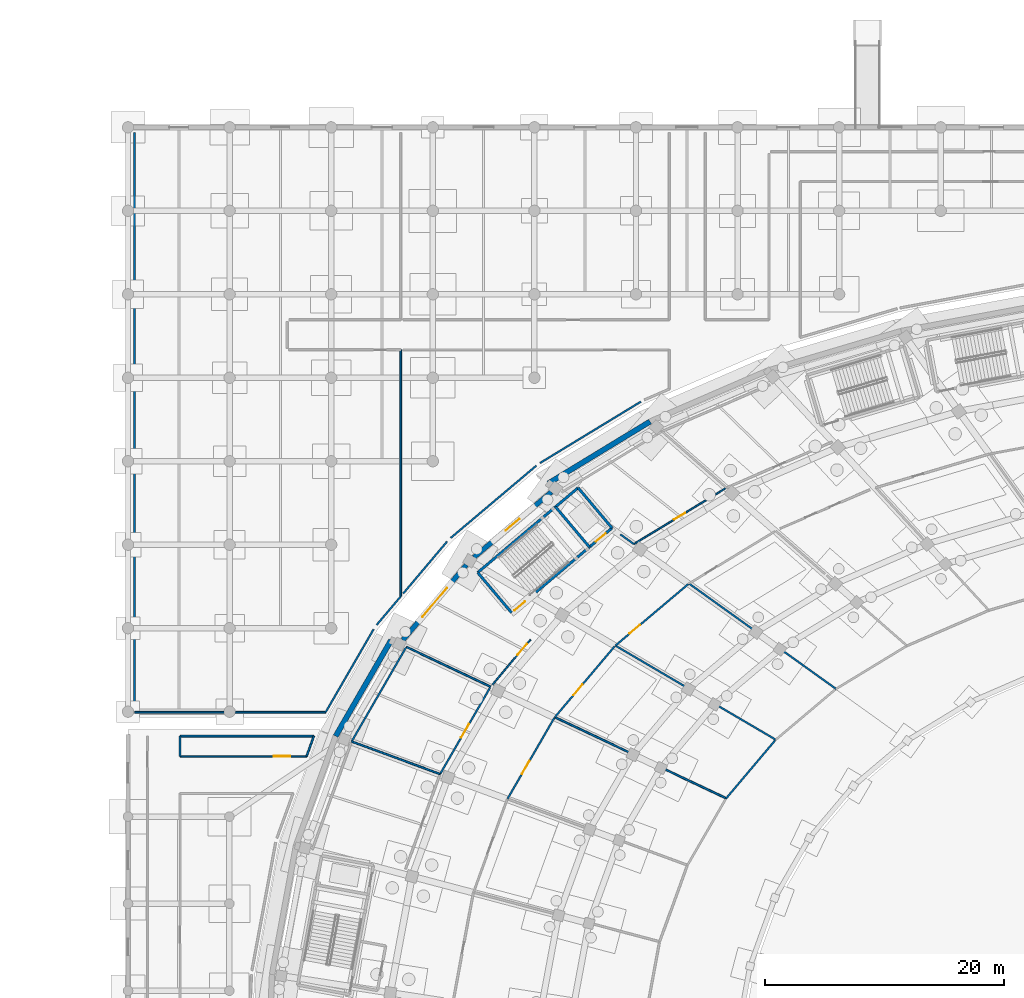
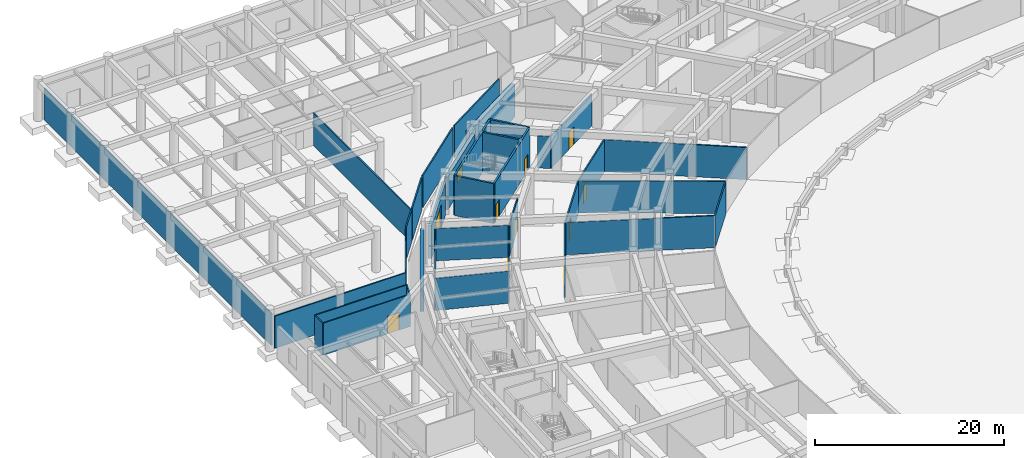
# One storey, part 56 of 88: 35 walls, 10 doors, 1 window, 11 openings.
"""IFC4 building model written with IfcOpenShell, lengths in metres."""

from ifc_helpers import new_model, si_unit, direction, frame, frame_2d, origin, place, context, subcontext, project, spatial, rectangle, extrude, material, layer, layer_set, type_object, element, fill, save


model = new_model("IFC4")

# Units and contexts
model_context = context("Model", 3, precision=1e-05, world=origin(), true_north=direction((0.0, 1.0)))
body_context = subcontext(model_context, "Body", "Model", "MODEL_VIEW")
ifc_project = project(units=[si_unit("LENGTHUNIT", "METRE"), si_unit("AREAUNIT", "SQUARE_METRE"), si_unit("VOLUMEUNIT", "CUBIC_METRE"), si_unit("PLANEANGLEUNIT", "RADIAN"), si_unit("MASSUNIT", "GRAM", prefix="KILO")], contexts=[model_context])

# Site, building, storey
site_placement = place(None, origin())
site = spatial("IfcSite", under=ifc_project, at=site_placement, CompositionType="ELEMENT")
building_placement = place(site_placement, origin())
building = spatial("IfcBuilding", under=site, at=building_placement, Name="Mphavela Belvedere Stadium", CompositionType="ELEMENT")
storey_placement = place(building_placement, origin())
storey = spatial("IfcBuildingStorey", under=building, at=storey_placement, Name="L00", CompositionType="ELEMENT", Elevation=0.0)

# Walls
ifc_material_1 = material(Name="Concrete C40/50", Category="concrete")
ifc_layer_1 = layer(ifc_material_1, 0.219970703125)
ifc_layer_set_1 = layer_set([ifc_layer_1], Name="Concrete C40/50")
wall_type_1 = type_object("IfcWallType", Name="WAL-CORE-SHEAR-220", PredefinedType="SHEAR", material=ifc_layer_set_1)
wall_1_placement = place(storey_placement, frame((29.318603515625, 136.666015625, 0.0), z_axis=(0.0, 0.0, 1.0), x_axis=(0.764247804305, 0.644922703598, 0.0)))
element("IfcWall", 1, at=wall_1_placement, inside=storey, type_object=wall_type_1, Name="Core C05 shear wall L00 rear", PredefinedType="SHEAR", context=body_context, shape_type="SweptSolid", body=[
    extrude(rectangle(XDim=11.019775390625, YDim=0.219970703125, at=frame_2d((5.509765625, 0.0))), origin(), (0.0, 0.0, 1.0), 5.14990234375),
])
wall_2_placement = place(storey_placement, frame((32.16259765625, 133.295654296875, 0.0), z_axis=(0.0, 0.0, 1.0), x_axis=(-0.644904288042, 0.764263344185, 0.0)))
element("IfcWall", 2, at=wall_2_placement, inside=storey, type_object=wall_type_1, Name="Core C05 shear wall L00 left", PredefinedType="SHEAR", context=body_context, shape_type="SweptSolid", body=[
    extrude(rectangle(XDim=4.409912109375, YDim=0.219970703125, at=frame_2d((2.205078125, 0.0))), origin(), (0.0, 0.0, 1.0), 5.14990234375),
])
wall_3_placement = place(storey_placement, frame((40.584716796875, 140.402587890625, 0.0), z_axis=(0.0, 0.0, 1.0), x_axis=(-0.644936622785, 0.764236058159, 0.0)))
element("IfcWall", 3, at=wall_3_placement, inside=storey, type_object=wall_type_1, Name="Core C05 shear wall L00 right", PredefinedType="SHEAR", context=body_context, shape_type="SweptSolid", body=[
    extrude(rectangle(XDim=4.41015625, YDim=0.219970703125, at=frame_2d((2.205078125, 0.0))), origin(), (0.0, 0.0, 1.0), 5.14990234375),
])

# Wall, openings, doors
wall_4_placement = place(storey_placement, frame((32.16259765625, 133.295654296875, 0.0), z_axis=(0.0, 0.0, 1.0), x_axis=(0.764257018762, 0.644911784102, 0.0)))
wall_4 = element("IfcWall", 4, at=wall_4_placement, inside=storey, type_object=wall_type_1, Name="Core C05 shear wall L00 front", PredefinedType="SHEAR", context=body_context, shape_type="SweptSolid", body=[
    extrude(rectangle(XDim=11.02001953125, YDim=0.219970703125, at=frame_2d((5.510009765625, 0.0))), origin(), (0.0, 0.0, 1.0), 5.14990234375),
])
opening_1_placement = place(wall_4_placement, frame((0.300048828125, 0.0, 0.0)))
opening_1 = element("IfcOpeningElement", 5, at=opening_1_placement, cuts=wall_4, Name="Opening SD-021", PredefinedType="OPENING", context=body_context, shape_type="SweptSolid", body=[
    extrude(rectangle(XDim=1.14990234375, YDim=2.14990234375, at=frame_2d((0.574951171875, 1.074951171875))), frame((0.0, 0.1201171875, 0.0), z_axis=(0.0, -1.0, 0.0), x_axis=(1.0, 0.0, 0.0)), (0.0, 0.0, 1.0), 0.239990234375),
])
opening_2_placement = place(wall_4_placement, frame((9.22998046875, 0.0, 0.0)))
opening_2 = element("IfcOpeningElement", 6, at=opening_2_placement, cuts=wall_4, Name="Opening LD-021", PredefinedType="OPENING", context=body_context, shape_type="SweptSolid", body=[
    extrude(rectangle(XDim=1.10009765625, YDim=2.14990234375, at=frame_2d((0.550048828125, 1.074951171875))), frame((0.0, 0.1201171875, 0.0), z_axis=(0.0, -1.0, 0.0), x_axis=(1.0, 0.0, 0.0)), (0.0, 0.0, 1.0), 0.239990234375),
])
ifc_material_2 = material(Name="Stainless steel center-parting lift landing door", Category="steel")
door_type_1 = type_object("IfcDoorType", Name="DR-LIFT-SLIDE-1100", OperationType="NOTDEFINED", PredefinedType="DOOR", material=ifc_material_2)
door_1_placement = place(opening_2_placement, origin())
door_1 = element("IfcDoor", 7, at=door_1_placement, inside=storey, type_object=door_type_1, Name="Lift landing sliding door PL02 L00", OperationType="DOUBLE_DOOR_SLIDING", OverallHeight=2.14990234375, OverallWidth=1.10009765625, PredefinedType="DOOR", context=body_context, shape_type="SweptSolid", body=[
    extrude(rectangle(XDim=1.10009765625, YDim=2.14990234375, at=frame_2d((0.550048828125, 1.074951171875))), frame((0.0, 0.02490234375, 0.0), z_axis=(0.0, -1.0, 0.0), x_axis=(1.0, 0.0, 0.0)), (0.0, 0.0, 1.0), 0.050048828125),
])
fill(opening_2, door_1)
ifc_material_3 = material(Name="Steel acoustic fire-resisting stair doorset", Category="steel")
door_type_2 = type_object("IfcDoorType", Name="DR-STAIR-FIRE-1150", OperationType="NOTDEFINED", PredefinedType="DOOR", material=ifc_material_3)
door_2_placement = place(opening_1_placement, origin())
door_2 = element("IfcDoor", 8, at=door_2_placement, inside=storey, type_object=door_type_2, Name="Escape stair fire door C05 L00", OperationType="SINGLE_SWING_LEFT", OverallHeight=2.14990234375, OverallWidth=1.14990234375, PredefinedType="DOOR", context=body_context, shape_type="SweptSolid", body=[
    extrude(rectangle(XDim=1.14990234375, YDim=2.14990234375, at=frame_2d((0.574951171875, 1.074951171875))), frame((0.0, 0.02490234375, 0.0), z_axis=(0.0, -1.0, 0.0), x_axis=(1.0, 0.0, 0.0)), (0.0, 0.0, 1.0), 0.050048828125),
])
fill(opening_1, door_2)

# Wall
wall_5_placement = place(storey_placement, frame((38.689208984375, 138.80322265625, 0.0), z_axis=(0.0, 0.0, 1.0), x_axis=(-0.644904288042, 0.764263344185, 0.0)))
element("IfcWall", 9, at=wall_5_placement, inside=storey, type_object=wall_type_1, Name="Core C05 shear wall L00 div", PredefinedType="SHEAR", context=body_context, shape_type="SweptSolid", body=[
    extrude(rectangle(XDim=4.409912109375, YDim=0.219970703125, at=frame_2d((2.205078125, 0.0))), origin(), (0.0, 0.0, 1.0), 5.14990234375),
])

# Wall, opening, window
ifc_material_4 = material(Name="Rusticated ashlar limestone masonry", Category="masonry")
ifc_layer_2 = layer(ifc_material_4, 0.39990234375)
ifc_layer_set_2 = layer_set([ifc_layer_2], Name="Rusticated ashlar limestone masonry")
wall_type_2 = type_object("IfcWallType", Name="WAL-EXT-ASHLAR-400", PredefinedType="STANDARD", material=ifc_layer_set_2)
wall_6_placement = place(storey_placement, frame((29.004150390625, 137.9423828125, 0.0), z_axis=(0.0, 0.0, 1.0), x_axis=(0.764254773348, 0.644914445035, 0.0)))
wall_6 = element("IfcWall", 10, at=wall_6_placement, inside=storey, type_object=wall_type_2, Name="Ground plinth rusticated ashlar wall 19", PredefinedType="STANDARD", context=body_context, shape_type="SweptSolid", body=[
    extrude(rectangle(XDim=8.502197265625, YDim=0.39990234375, at=frame_2d((4.2509765625, 0.0))), origin(), (0.0, 0.0, 1.0), 4.25),
])
opening_3_placement = place(wall_6_placement, frame((3.4912109375, 0.0, 1.10009765625)))
opening_3 = element("IfcOpeningElement", 11, at=opening_3_placement, cuts=wall_6, Name="Opening W-004", PredefinedType="OPENING", context=body_context, shape_type="SweptSolid", body=[
    extrude(rectangle(XDim=1.52001953125, YDim=1.550048828125, at=frame_2d((0.760009765625, 0.77490234375))), frame((0.0, 0.2099609375, 0.0), z_axis=(0.0, -1.0, 0.0), x_axis=(1.0, 0.0, 0.0)), (0.0, 0.0, 1.0), 0.419921875),
])
ifc_material_5 = material(Name="Bronze-anodised thermally broken aluminium window", Category="aluminium")
window_type = type_object("IfcWindowType", Name="WIN-EXT-04", PartitioningType="SINGLE_PANEL", PredefinedType="WINDOW", material=ifc_material_5)
window_placement = place(opening_3_placement, origin())
window = element("IfcWindow", 12, at=window_placement, inside=storey, type_object=window_type, Name="Plinth classical window W-004", OverallHeight=1.550048828125, OverallWidth=1.52001953125, PartitioningType="SINGLE_PANEL", PredefinedType="WINDOW", context=body_context, shape_type="SweptSolid", body=[
    extrude(rectangle(XDim=1.52001953125, YDim=1.550048828125, at=frame_2d((0.760009765625, 0.77490234375))), frame((0.0, 0.030029296875, 0.0), z_axis=(0.0, -1.0, 0.0), x_axis=(1.0, 0.0, 0.0)), (0.0, 0.0, 1.0), 0.06005859375),
])
fill(opening_3, window)

# Wall, opening, door
wall_7_placement = place(storey_placement, frame((23.04638671875, 131.00390625, 0.0), z_axis=(0.0, 0.0, 1.0), x_axis=(0.645194244502, 0.764018577563, 0.0)))
wall_7 = element("IfcWall", 13, at=wall_7_placement, inside=storey, type_object=wall_type_2, Name="Ground plinth rusticated ashlar wall 20", PredefinedType="STANDARD", context=body_context, shape_type="SweptSolid", body=[
    extrude(rectangle(XDim=8.255615234375, YDim=0.39990234375, at=frame_2d((4.1279296875, 0.0))), origin(), (0.0, 0.0, 1.0), 4.25),
])
opening_4_placement = place(wall_7_placement, frame((2.527587890625, 0.0, 0.0)))
opening_4 = element("IfcOpeningElement", 14, at=opening_4_placement, cuts=wall_7, Name="Opening GT-03", PredefinedType="OPENING", context=body_context, shape_type="SweptSolid", body=[
    extrude(rectangle(XDim=3.199951171875, YDim=3.10009765625, at=frame_2d((1.60009765625, 1.550048828125))), frame((0.0, 0.2099609375, 0.0), z_axis=(0.0, -1.0, 0.0), x_axis=(1.0, 0.0, 0.0)), (0.0, 0.0, 1.0), 0.419921875),
])
ifc_material_6 = material(Name="Architectural bronze security gate")
door_type_3 = type_object("IfcDoorType", Name="GT-SRV-01", OperationType="NOTDEFINED", PredefinedType="GATE", material=ifc_material_6)
door_3_placement = place(opening_4_placement, origin())
door_3 = element("IfcDoor", 15, at=door_3_placement, inside=storey, type_object=door_type_3, Name="Portal service gate GT-03", OperationType="DOUBLE_DOOR_SINGLE_SWING", OverallHeight=3.10009765625, OverallWidth=3.199951171875, PredefinedType="GATE", context=body_context, shape_type="SweptSolid", body=[
    extrude(rectangle(XDim=3.199951171875, YDim=3.10009765625, at=frame_2d((1.60009765625, 1.550048828125))), frame((0.0, 0.02490234375, 0.0), z_axis=(0.0, -1.0, 0.0), x_axis=(1.0, 0.0, 0.0)), (0.0, 0.0, 1.0), 0.050048828125),
])
fill(opening_4, door_3)

ifc_material_7 = material(Name="Moisture-resistant sanitary partition assembly")
ifc_layer_3 = layer(ifc_material_7, 0.125)
ifc_layer_set_3 = layer_set([ifc_layer_3], Name="Moisture-resistant sanitary partition assembly")
wall_type_3 = type_object("IfcWallType", Name="WAL-PART-125", PredefinedType="PARTITIONING", material=ifc_layer_set_3)
wall_8_placement = place(storey_placement, frame((50.10546875, 143.731201171875, 0.0), z_axis=(0.0, 0.0, 1.0), x_axis=(-0.854321649351, -0.519744667554, 0.0)))
wall_8 = element("IfcWall", 16, at=wall_8_placement, inside=storey, type_object=wall_type_3, Name="Room L00-80 corridor partition", PredefinedType="PARTITIONING", context=body_context, shape_type="SweptSolid", body=[
    extrude(rectangle(XDim=8.99853515625, YDim=0.125, at=frame_2d((4.499267578125, 0.0))), origin(), (0.0, 0.0, 1.0), 4.14990234375),
])
opening_5_placement = place(wall_8_placement, frame((3.94921875, 0.0, 0.0)))
opening_5 = element("IfcOpeningElement", 17, at=opening_5_placement, cuts=wall_8, Name="Opening ID-030", PredefinedType="OPENING", context=body_context, shape_type="SweptSolid", body=[
    extrude(rectangle(XDim=1.10009765625, YDim=2.300048828125, at=frame_2d((0.550048828125, 1.14990234375))), frame((0.0, 0.072509765625, 0.0), z_axis=(0.0, -1.0, 0.0), x_axis=(1.0, 0.0, 0.0)), (0.0, 0.0, 1.0), 0.14501953125),
])
ifc_material_8 = material(Name="Hardwood acoustic timber doorset", Category="wood")
door_type_4 = type_object("IfcDoorType", Name="DR-INT-30", OperationType="NOTDEFINED", PredefinedType="DOOR", material=ifc_material_8)
door_4_placement = place(opening_5_placement, origin())
door_4 = element("IfcDoor", 18, at=door_4_placement, inside=storey, type_object=door_type_4, Name="Room L00-80 entrance door ID-030", OperationType="SINGLE_SWING_RIGHT", OverallHeight=2.300048828125, OverallWidth=1.10009765625, PredefinedType="DOOR", context=body_context, shape_type="SweptSolid", body=[
    extrude(rectangle(XDim=1.10009765625, YDim=2.300048828125, at=frame_2d((0.550048828125, 1.14990234375))), frame((0.0, 0.02490234375, 0.0), z_axis=(0.0, -1.0, 0.0), x_axis=(1.0, 0.0, 0.0)), (0.0, 0.0, 1.0), 0.050048828125),
])
fill(opening_5, door_4)

wall_9_placement = place(storey_placement, frame((33.747802734375, 131.044921875, 0.0), z_axis=(0.0, 0.0, 1.0), x_axis=(-0.645189146842, -0.764022882378, 0.0)))
wall_9 = element("IfcWall", 19, at=wall_9_placement, inside=storey, type_object=wall_type_3, Name="Room L00-85 corridor partition", PredefinedType="PARTITIONING", context=body_context, shape_type="SweptSolid", body=[
    extrude(rectangle(XDim=4.943115234375, YDim=0.125, at=frame_2d((2.4716796875, 0.0))), origin(), (0.0, 0.0, 1.0), 4.14990234375),
])
opening_6_placement = place(wall_9_placement, frame((0.47412109375, 0.0, 0.0)))
opening_6 = element("IfcOpeningElement", 20, at=opening_6_placement, cuts=wall_9, Name="Opening ID-033", PredefinedType="OPENING", context=body_context, shape_type="SweptSolid", body=[
    extrude(rectangle(XDim=1.219970703125, YDim=2.300048828125, at=frame_2d((0.60986328125, 1.14990234375))), frame((0.0, 0.072509765625, 0.0), z_axis=(0.0, -1.0, 0.0), x_axis=(1.0, 0.0, 0.0)), (0.0, 0.0, 1.0), 0.14501953125),
])
ifc_material_9 = material(Name="Hardwood acoustic timber doorset", Category="wood")
door_type_5 = type_object("IfcDoorType", Name="DR-INT-33", OperationType="NOTDEFINED", PredefinedType="DOOR", material=ifc_material_9)
door_5_placement = place(opening_6_placement, origin())
door_5 = element("IfcDoor", 21, at=door_5_placement, inside=storey, type_object=door_type_5, Name="Room L00-85 entrance door ID-033", OperationType="SINGLE_SWING_LEFT", OverallHeight=2.300048828125, OverallWidth=1.219970703125, PredefinedType="DOOR", context=body_context, shape_type="SweptSolid", body=[
    extrude(rectangle(XDim=1.219970703125, YDim=2.300048828125, at=frame_2d((0.60986328125, 1.14990234375))), frame((0.0, 0.02490234375, 0.0), z_axis=(0.0, -1.0, 0.0), x_axis=(1.0, 0.0, 0.0)), (0.0, 0.0, 1.0), 0.050048828125),
])
fill(opening_6, door_5)

wall_10_placement = place(storey_placement, frame((14.968505859375, 121.260009765625, 0.0), z_axis=(0.0, 0.0, 1.0), x_axis=(-1.0, 0.0, 0.0)))
wall_10 = element("IfcWall", 22, at=wall_10_placement, inside=storey, type_object=wall_type_3, Name="Room L00-204 corridor partition", PredefinedType="PARTITIONING", context=body_context, shape_type="SweptSolid", body=[
    extrude(rectangle(XDim=10.6083984375, YDim=0.125, at=frame_2d((5.30419921875, 0.0))), origin(), (0.0, 0.0, 1.0), 4.14990234375),
])
opening_7_placement = place(wall_10_placement, frame((1.34814453125, 0.0, 0.0)))
opening_7 = element("IfcOpeningElement", 23, at=opening_7_placement, cuts=wall_10, Name="Opening ID-504", PredefinedType="OPENING", context=body_context, shape_type="SweptSolid", body=[
    extrude(rectangle(XDim=1.39990234375, YDim=2.300048828125, at=frame_2d((0.699951171875, 1.14990234375))), frame((0.0, 0.072509765625, 0.0), z_axis=(0.0, -1.0, 0.0), x_axis=(1.0, 0.0, 0.0)), (0.0, 0.0, 1.0), 0.14501953125),
])
ifc_material_10 = material(Name="Hardwood acoustic timber doorset", Category="wood")
door_type_6 = type_object("IfcDoorType", Name="DR-INT-36", OperationType="NOTDEFINED", PredefinedType="DOOR", material=ifc_material_10)
door_6_placement = place(opening_7_placement, origin())
door_6 = element("IfcDoor", 24, at=door_6_placement, inside=storey, type_object=door_type_6, Name="Room L00-204 entrance door ID-504", OperationType="SINGLE_SWING_RIGHT", OverallHeight=2.300048828125, OverallWidth=1.39990234375, PredefinedType="DOOR", context=body_context, shape_type="SweptSolid", body=[
    extrude(rectangle(XDim=1.39990234375, YDim=2.300048828125, at=frame_2d((0.699951171875, 1.14990234375))), frame((0.0, 0.02490234375, 0.0), z_axis=(0.0, -1.0, 0.0), x_axis=(1.0, 0.0, 0.0)), (0.0, 0.0, 1.0), 0.050048828125),
])
fill(opening_7, door_6)

ifc_material_11 = material(Name="Acoustic gypsum stud partition assembly")
ifc_layer_4 = layer(ifc_material_11, 0.14990234375)
ifc_layer_set_4 = layer_set([ifc_layer_4], Name="Acoustic gypsum stud partition assembly")
wall_type_4 = type_object("IfcWallType", Name="WAL-PART-150", PredefinedType="PARTITIONING", material=ifc_layer_set_4)
wall_11_placement = place(storey_placement, frame((40.866943359375, 130.539306640625, 0.0), z_axis=(0.0, 0.0, 1.0), x_axis=(0.764249122867, 0.644921141068, 0.0)))
wall_11 = element("IfcWall", 25, at=wall_11_placement, inside=storey, type_object=wall_type_4, Name="Room L00-82 corridor partition", PredefinedType="PARTITIONING", context=body_context, shape_type="SweptSolid", body=[
    extrude(rectangle(XDim=7.989501953125, YDim=0.14990234375, at=frame_2d((3.99462890625, 0.0))), origin(), (0.0, 0.0, 1.0), 4.14990234375),
])
opening_8_placement = place(wall_11_placement, frame((1.56201171875, 0.0, 0.0)))
opening_8 = element("IfcOpeningElement", 26, at=opening_8_placement, cuts=wall_11, Name="Opening ID-031", PredefinedType="OPENING", context=body_context, shape_type="SweptSolid", body=[
    extrude(rectangle(XDim=1.139892578125, YDim=2.300048828125, at=frame_2d((0.56982421875, 1.14990234375))), frame((0.0, 0.0849609375, 0.0), z_axis=(0.0, -1.0, 0.0), x_axis=(1.0, 0.0, 0.0)), (0.0, 0.0, 1.0), 0.169921875),
])
ifc_material_12 = material(Name="Hardwood acoustic timber doorset", Category="wood")
door_type_7 = type_object("IfcDoorType", Name="DR-INT-31", OperationType="NOTDEFINED", PredefinedType="DOOR", material=ifc_material_12)
door_7_placement = place(opening_8_placement, origin())
door_7 = element("IfcDoor", 27, at=door_7_placement, inside=storey, type_object=door_type_7, Name="Room L00-82 entrance door ID-031", OperationType="SINGLE_SWING_LEFT", OverallHeight=2.300048828125, OverallWidth=1.139892578125, PredefinedType="DOOR", context=body_context, shape_type="SweptSolid", body=[
    extrude(rectangle(XDim=1.139892578125, YDim=2.300048828125, at=frame_2d((0.56982421875, 1.14990234375))), frame((0.0, 0.02490234375, 0.0), z_axis=(0.0, -1.0, 0.0), x_axis=(1.0, 0.0, 0.0)), (0.0, 0.0, 1.0), 0.050048828125),
])
fill(opening_8, door_7)

wall_12_placement = place(storey_placement, frame((35.787841796875, 124.5380859375, 0.0), z_axis=(0.0, 0.0, 1.0), x_axis=(0.645180817826, 0.764029915847, 0.0)))
wall_12 = element("IfcWall", 28, at=wall_12_placement, inside=storey, type_object=wall_type_4, Name="Room L00-84 corridor partition", PredefinedType="PARTITIONING", context=body_context, shape_type="SweptSolid", body=[
    extrude(rectangle(XDim=7.779296875, YDim=0.14990234375, at=frame_2d((3.8896484375, 0.0))), origin(), (0.0, 0.0, 1.0), 4.14990234375),
])
opening_9_placement = place(wall_12_placement, frame((2.40576171875, 0.0, 0.0)))
opening_9 = element("IfcOpeningElement", 29, at=opening_9_placement, cuts=wall_12, Name="Opening ID-032", PredefinedType="OPENING", context=body_context, shape_type="SweptSolid", body=[
    extrude(rectangle(XDim=1.179931640625, YDim=2.300048828125, at=frame_2d((0.58984375, 1.14990234375))), frame((0.0, 0.0849609375, 0.0), z_axis=(0.0, -1.0, 0.0), x_axis=(1.0, 0.0, 0.0)), (0.0, 0.0, 1.0), 0.169921875),
])
ifc_material_13 = material(Name="Hardwood acoustic timber doorset", Category="wood")
door_type_8 = type_object("IfcDoorType", Name="DR-INT-32", OperationType="NOTDEFINED", PredefinedType="DOOR", material=ifc_material_13)
door_8_placement = place(opening_9_placement, origin())
door_8 = element("IfcDoor", 30, at=door_8_placement, inside=storey, type_object=door_type_8, Name="Room L00-84 entrance door ID-032", OperationType="SINGLE_SWING_RIGHT", OverallHeight=2.300048828125, OverallWidth=1.179931640625, PredefinedType="DOOR", context=body_context, shape_type="SweptSolid", body=[
    extrude(rectangle(XDim=1.179931640625, YDim=2.300048828125, at=frame_2d((0.58984375, 1.14990234375))), frame((0.0, 0.02490234375, 0.0), z_axis=(0.0, -1.0, 0.0), x_axis=(1.0, 0.0, 0.0)), (0.0, 0.0, 1.0), 0.050048828125),
])
fill(opening_9, door_8)

wall_13_placement = place(storey_placement, frame((31.81689453125, 117.687744140625, 0.0), z_axis=(0.0, 0.0, 1.0), x_axis=(0.500584301803, 0.865687794063, 0.0)))
wall_13 = element("IfcWall", 31, at=wall_13_placement, inside=storey, type_object=wall_type_4, Name="Room L00-87 corridor partition", PredefinedType="PARTITIONING", context=body_context, shape_type="SweptSolid", body=[
    extrude(rectangle(XDim=7.8369140625, YDim=0.14990234375, at=frame_2d((3.91845703125, 0.0))), origin(), (0.0, 0.0, 1.0), 4.14990234375),
])
opening_10_placement = place(wall_13_placement, frame((2.39794921875, 0.0, 0.0)))
opening_10 = element("IfcOpeningElement", 32, at=opening_10_placement, cuts=wall_13, Name="Opening ID-034", PredefinedType="OPENING", context=body_context, shape_type="SweptSolid", body=[
    extrude(rectangle(XDim=1.260009765625, YDim=2.300048828125, at=frame_2d((0.6298828125, 1.14990234375))), frame((0.0, 0.0849609375, 0.0), z_axis=(0.0, -1.0, 0.0), x_axis=(1.0, 0.0, 0.0)), (0.0, 0.0, 1.0), 0.169921875),
])
ifc_material_14 = material(Name="Hardwood acoustic timber doorset", Category="wood")
door_type_9 = type_object("IfcDoorType", Name="DR-INT-34", OperationType="NOTDEFINED", PredefinedType="DOOR", material=ifc_material_14)
door_9_placement = place(opening_10_placement, origin())
door_9 = element("IfcDoor", 33, at=door_9_placement, inside=storey, type_object=door_type_9, Name="Room L00-87 entrance door ID-034", OperationType="SINGLE_SWING_RIGHT", OverallHeight=2.300048828125, OverallWidth=1.260009765625, PredefinedType="DOOR", context=body_context, shape_type="SweptSolid", body=[
    extrude(rectangle(XDim=1.260009765625, YDim=2.300048828125, at=frame_2d((0.6298828125, 1.14990234375))), frame((0.0, 0.02490234375, 0.0), z_axis=(0.0, -1.0, 0.0), x_axis=(1.0, 0.0, 0.0)), (0.0, 0.0, 1.0), 0.050048828125),
])
fill(opening_10, door_9)

wall_14_placement = place(storey_placement, frame((30.35888671875, 127.01904296875, 0.0), z_axis=(0.0, 0.0, 1.0), x_axis=(-0.500559280672, -0.865702262059, 0.0)))
wall_14 = element("IfcWall", 34, at=wall_14_placement, inside=storey, type_object=wall_type_4, Name="Room L00-88 corridor partition", PredefinedType="PARTITIONING", context=body_context, shape_type="SweptSolid", body=[
    extrude(rectangle(XDim=8.37451171875, YDim=0.14990234375, at=frame_2d((4.187255859375, 0.0))), origin(), (0.0, 0.0, 1.0), 4.14990234375),
])
opening_11_placement = place(wall_14_placement, frame((3.52734375, 0.0, 0.0)))
opening_11 = element("IfcOpeningElement", 35, at=opening_11_placement, cuts=wall_14, Name="Opening ID-035", PredefinedType="OPENING", context=body_context, shape_type="SweptSolid", body=[
    extrude(rectangle(XDim=1.320068359375, YDim=2.300048828125, at=frame_2d((0.66015625, 1.14990234375))), frame((0.0, 0.0849609375, 0.0), z_axis=(0.0, -1.0, 0.0), x_axis=(1.0, 0.0, 0.0)), (0.0, 0.0, 1.0), 0.169921875),
])
ifc_material_15 = material(Name="Hardwood acoustic timber doorset", Category="wood")
door_type_10 = type_object("IfcDoorType", Name="DR-INT-35", OperationType="NOTDEFINED", PredefinedType="DOOR", material=ifc_material_15)
door_10_placement = place(opening_11_placement, origin())
door_10 = element("IfcDoor", 36, at=door_10_placement, inside=storey, type_object=door_type_10, Name="Room L00-88 entrance door ID-035", OperationType="SINGLE_SWING_LEFT", OverallHeight=2.300048828125, OverallWidth=1.320068359375, PredefinedType="DOOR", context=body_context, shape_type="SweptSolid", body=[
    extrude(rectangle(XDim=1.320068359375, YDim=2.300048828125, at=frame_2d((0.66015625, 1.14990234375))), frame((0.0, 0.02490234375, 0.0), z_axis=(0.0, -1.0, 0.0), x_axis=(1.0, 0.0, 0.0)), (0.0, 0.0, 1.0), 0.050048828125),
])
fill(opening_11, door_10)

# Walls
wall_15_placement = place(storey_placement, frame((59.368896484375, 126.90869140625, 0.0), z_axis=(0.0, 0.0, 1.0), x_axis=(-0.812885100642, 0.582424083597, 0.0)))
element("IfcWall", 37, at=wall_15_placement, inside=storey, type_object=wall_type_4, Name="Room divider partition L00-0053", PredefinedType="PARTITIONING", context=body_context, shape_type="SweptSolid", body=[
    extrude(rectangle(XDim=15.16259765625, YDim=0.14990234375, at=frame_2d((7.581298828125, 0.0))), origin(), (0.0, 0.0, 1.0), 4.14990234375),
])
wall_16_placement = place(storey_placement, frame((42.417724609375, 139.05419921875, 0.0), z_axis=(0.0, 0.0, 1.0), x_axis=(-0.812925279681, 0.582368001916, 0.0)))
element("IfcWall", 38, at=wall_16_placement, inside=storey, type_object=wall_type_4, Name="Room divider partition L00-0055", PredefinedType="PARTITIONING", context=body_context, shape_type="SweptSolid", body=[
    extrude(rectangle(XDim=1.389404296875, YDim=0.14990234375, at=frame_2d((0.69482421875, 0.0))), origin(), (0.0, 0.0, 1.0), 4.14990234375),
])
wall_17_placement = place(storey_placement, frame((54.314697265625, 122.649658203125, 0.0), z_axis=(0.0, 0.0, 1.0), x_axis=(-0.862516522271, 0.50602890116, 0.0)))
element("IfcWall", 39, at=wall_17_placement, inside=storey, type_object=wall_type_4, Name="Room divider partition L00-0057", PredefinedType="PARTITIONING", context=body_context, shape_type="SweptSolid", body=[
    extrude(rectangle(XDim=15.59130859375, YDim=0.14990234375, at=frame_2d((7.795654296875, 0.0))), origin(), (0.0, 0.0, 1.0), 4.14990234375),
])
wall_18_placement = place(storey_placement, frame((54.2578125, 122.59033203125, 0.0), z_axis=(0.0, 0.0, 1.0), x_axis=(-0.645182313149, -0.764028653127, 0.0)))
element("IfcWall", 40, at=wall_18_placement, inside=storey, type_object=wall_type_4, Name="Room divider partition L00-0058", PredefinedType="PARTITIONING", context=body_context, shape_type="SweptSolid", body=[
    extrude(rectangle(XDim=6.353759765625, YDim=0.14990234375, at=frame_2d((3.1767578125, 0.0))), origin(), (0.0, 0.0, 1.0), 4.14990234375),
])
wall_19_placement = place(storey_placement, frame((50.158447265625, 117.73583984375, 0.0), z_axis=(0.0, 0.0, 1.0), x_axis=(-0.903856618289, 0.427835498263, 0.0)))
element("IfcWall", 41, at=wall_19_placement, inside=storey, type_object=wall_type_4, Name="Room divider partition L00-0059", PredefinedType="PARTITIONING", context=body_context, shape_type="SweptSolid", body=[
    extrude(rectangle(XDim=15.899169921875, YDim=0.14990234375, at=frame_2d((7.94970703125, 0.0))), origin(), (0.0, 0.0, 1.0), 4.14990234375),
])
wall_20_placement = place(storey_placement, frame((30.40478515625, 127.0859375, 0.0), z_axis=(0.0, 0.0, 1.0), x_axis=(-0.903857436248, 0.427833770218, 0.0)))
element("IfcWall", 42, at=wall_20_placement, inside=storey, type_object=wall_type_4, Name="Room divider partition L00-0060", PredefinedType="PARTITIONING", context=body_context, shape_type="SweptSolid", body=[
    extrude(rectangle(XDim=7.81201171875, YDim=0.14990234375, at=frame_2d((3.906005859375, 0.0))), origin(), (0.0, 0.0, 1.0), 4.14990234375),
])
wall_21_placement = place(storey_placement, frame((26.1669921875, 119.769287109375, 0.0), z_axis=(0.0, 0.0, 1.0), x_axis=(-0.938352081903, 0.34568102405, 0.0)))
element("IfcWall", 43, at=wall_21_placement, inside=storey, type_object=wall_type_4, Name="Room divider partition L00-0063", PredefinedType="PARTITIONING", context=body_context, shape_type="SweptSolid", body=[
    extrude(rectangle(XDim=7.90380859375, YDim=0.14990234375, at=frame_2d((3.951904296875, 0.0))), origin(), (0.0, 0.0, 1.0), 4.14990234375),
])
wall_22_placement = place(storey_placement, frame((18.75048828125, 122.50146484375, 0.0), z_axis=(0.0, 0.0, 1.0), x_axis=(0.500574107164, 0.865693689036, 0.0)))
element("IfcWall", 44, at=wall_22_placement, inside=storey, type_object=wall_type_4, Name="Room divider partition L00-0064", PredefinedType="PARTITIONING", context=body_context, shape_type="SweptSolid", body=[
    extrude(rectangle(XDim=9.080322265625, YDim=0.14990234375, at=frame_2d((4.5400390625, 0.0))), origin(), (0.0, 0.0, 1.0), 4.14990234375),
])
wall_23_placement = place(storey_placement, frame((20.59326171875, 131.912841796875, 0.0), z_axis=(0.0, 0.0, 1.0), x_axis=(-0.500545605998, -0.865710168773, 0.0)))
element("IfcWall", 45, at=wall_23_placement, inside=storey, type_object=wall_type_4, Name="Room divider partition L00-0884", PredefinedType="PARTITIONING", context=body_context, shape_type="SweptSolid", body=[
    extrude(rectangle(XDim=8.04296875, YDim=0.14990234375, at=frame_2d((4.021484375, 0.0))), origin(), (0.0, 0.0, 1.0), 4.14990234375),
])
wall_24_placement = place(storey_placement, frame((16.5673828125, 124.949951171875, 0.0), z_axis=(0.0, 0.0, 1.0), x_axis=(-1.0, 0.0, 0.0)))
element("IfcWall", 46, at=wall_24_placement, inside=storey, type_object=wall_type_4, Name="Room divider partition L00-0885", PredefinedType="PARTITIONING", context=body_context, shape_type="SweptSolid", body=[
    extrude(rectangle(XDim=16.017333984375, YDim=0.14990234375, at=frame_2d((8.0087890625, 0.0))), origin(), (0.0, 0.0, 1.0), 4.14990234375),
])
wall_25_placement = place(storey_placement, frame((0.550048828125, 125.5, 0.0), z_axis=(0.0, 0.0, 1.0), x_axis=(0.0, 1.0, 0.0)))
element("IfcWall", 47, at=wall_25_placement, inside=storey, type_object=wall_type_4, Name="Room divider partition L00-0886", PredefinedType="PARTITIONING", context=body_context, shape_type="SweptSolid", body=[
    extrude(rectangle(XDim=48.050048828125, YDim=0.14990234375, at=frame_2d((24.02490234375, 0.0))), origin(), (0.0, 0.0, 1.0), 4.14990234375),
])
wall_26_placement = place(storey_placement, frame((22.8701171875, 155.340087890625, 0.0), z_axis=(0.0, 0.0, 1.0), x_axis=(0.0, -1.0, 0.0)))
element("IfcWall", 48, at=wall_26_placement, inside=storey, type_object=wall_type_4, Name="Room divider partition L00-0890", PredefinedType="PARTITIONING", context=body_context, shape_type="SweptSolid", body=[
    extrude(rectangle(XDim=20.67041015625, YDim=0.14990234375, at=frame_2d((10.335205078125, 0.0))), origin(), (0.0, 0.0, 1.0), 4.14990234375),
])
wall_27_placement = place(storey_placement, frame((22.8701171875, 134.669677734375, 0.0), z_axis=(0.0, 0.0, 1.0), x_axis=(-0.64518788911, -0.764023944485, 0.0)))
element("IfcWall", 49, at=wall_27_placement, inside=storey, type_object=wall_type_4, Name="Room divider partition L00-0891", PredefinedType="PARTITIONING", context=body_context, shape_type="SweptSolid", body=[
    extrude(rectangle(XDim=3.135009765625, YDim=0.14990234375, at=frame_2d((1.5673828125, 0.0))), origin(), (0.0, 0.0, 1.0), 4.14990234375),
])
wall_28_placement = place(storey_placement, frame((43.00439453125, 150.99658203125, 0.0), z_axis=(0.0, 0.0, 1.0), x_axis=(-0.854333268174, -0.519725568826, 0.0)))
element("IfcWall", 50, at=wall_28_placement, inside=storey, type_object=wall_type_4, Name="Room divider partition L00-0892", PredefinedType="PARTITIONING", context=body_context, shape_type="SweptSolid", body=[
    extrude(rectangle(XDim=9.90185546875, YDim=0.14990234375, at=frame_2d((4.950927734375, 0.0))), origin(), (0.0, 0.0, 1.0), 4.14990234375),
])
wall_29_placement = place(storey_placement, frame((34.232177734375, 145.625244140625, 0.0), z_axis=(0.0, 0.0, 1.0), x_axis=(-0.76426547638, -0.644901761212, 0.0)))
element("IfcWall", 51, at=wall_29_placement, inside=storey, type_object=wall_type_4, Name="Room divider partition L00-0893", PredefinedType="PARTITIONING", context=body_context, shape_type="SweptSolid", body=[
    extrude(rectangle(XDim=9.3984375, YDim=0.14990234375, at=frame_2d((4.69921875, 0.0))), origin(), (0.0, 0.0, 1.0), 4.14990234375),
])
wall_30_placement = place(storey_placement, frame((26.751708984375, 139.266357421875, 0.0), z_axis=(0.0, 0.0, 1.0), x_axis=(-0.645178597855, -0.764031790484, 0.0)))
element("IfcWall", 52, at=wall_30_placement, inside=storey, type_object=wall_type_4, Name="Room divider partition L00-0894", PredefinedType="PARTITIONING", context=body_context, shape_type="SweptSolid", body=[
    extrude(rectangle(XDim=5.706298828125, YDim=0.14990234375, at=frame_2d((2.85302734375, 0.0))), origin(), (0.0, 0.0, 1.0), 4.14990234375),
])
wall_31_placement = place(storey_placement, frame((4.360107421875, 122.949951171875, 0.0), z_axis=(0.0, 0.0, 1.0), x_axis=(1.0, 0.0, 0.0)))
element("IfcWall", 53, at=wall_31_placement, inside=storey, type_object=wall_type_4, Name="Room divider partition L00-1147", PredefinedType="PARTITIONING", context=body_context, shape_type="SweptSolid", body=[
    extrude(rectangle(XDim=11.221435546875, YDim=0.14990234375, at=frame_2d((5.61083984375, 0.0))), origin(), (0.0, 0.0, 1.0), 4.14990234375),
])
wall_32_placement = place(storey_placement, frame((15.58154296875, 122.949951171875, 0.0), z_axis=(0.0, 0.0, 1.0), x_axis=(-0.341012375502, -0.940058806541, 0.0)))
element("IfcWall", 54, at=wall_32_placement, inside=storey, type_object=wall_type_4, Name="Room divider partition L00-1148", PredefinedType="PARTITIONING", context=body_context, shape_type="SweptSolid", body=[
    extrude(rectangle(XDim=1.797607421875, YDim=0.14990234375, at=frame_2d((0.89892578125, 0.0))), origin(), (0.0, 0.0, 1.0), 4.14990234375),
])
wall_33_placement = place(storey_placement, frame((4.360107421875, 121.260009765625, 0.0), z_axis=(0.0, 0.0, 1.0), x_axis=(0.0, 1.0, 0.0)))
element("IfcWall", 55, at=wall_33_placement, inside=storey, type_object=wall_type_4, Name="Room divider partition L00-1149", PredefinedType="PARTITIONING", context=body_context, shape_type="SweptSolid", body=[
    extrude(rectangle(XDim=1.68994140625, YDim=0.14990234375, at=frame_2d((0.844970703125, 0.0))), origin(), (0.0, 0.0, 1.0), 4.14990234375),
])
ifc_material_16 = material(Name="Concrete C40/50", Category="concrete")
ifc_layer_5 = layer(ifc_material_16, 0.449951171875)
ifc_layer_set_5 = layer_set([ifc_layer_5], Name="Concrete C40/50")
wall_type_5 = type_object("IfcWallType", Name="WALL-RETAINING-450", PredefinedType="USERDEFINED", material=ifc_layer_set_5)
wall_34_placement = place(storey_placement, frame((43.770263671875, 149.327880859375, 0.0), z_axis=(0.0, 0.0, 1.0), x_axis=(-0.854319977813, -0.519747415106, 0.0)))
element("IfcWall", 56, at=wall_34_placement, inside=storey, type_object=wall_type_5, Name="Uphill earth-bank retaining wall 18", ObjectType="RETAININGWALL", PredefinedType="USERDEFINED", context=body_context, shape_type="SweptSolid", body=[
    extrude(rectangle(XDim=9.9765625, YDim=0.449951171875, at=frame_2d((4.98828125, 0.0))), origin(), (0.0, 0.0, 1.0), 4.25),
])
wall_35_placement = place(storey_placement, frame((22.061279296875, 130.990966796875, 0.0), z_axis=(0.0, 0.0, 1.0), x_axis=(-0.500560521423, -0.86570154464, 0.0)))
element("IfcWall", 57, at=wall_35_placement, inside=storey, type_object=wall_type_5, Name="Uphill earth-bank retaining wall 21", ObjectType="RETAININGWALL", PredefinedType="USERDEFINED", context=body_context, shape_type="SweptSolid", body=[
    extrude(rectangle(XDim=9.286376953125, YDim=0.449951171875, at=frame_2d((4.64306640625, 0.0))), origin(), (0.0, 0.0, 1.0), 4.25),
])

save(model, "model.ifc")
